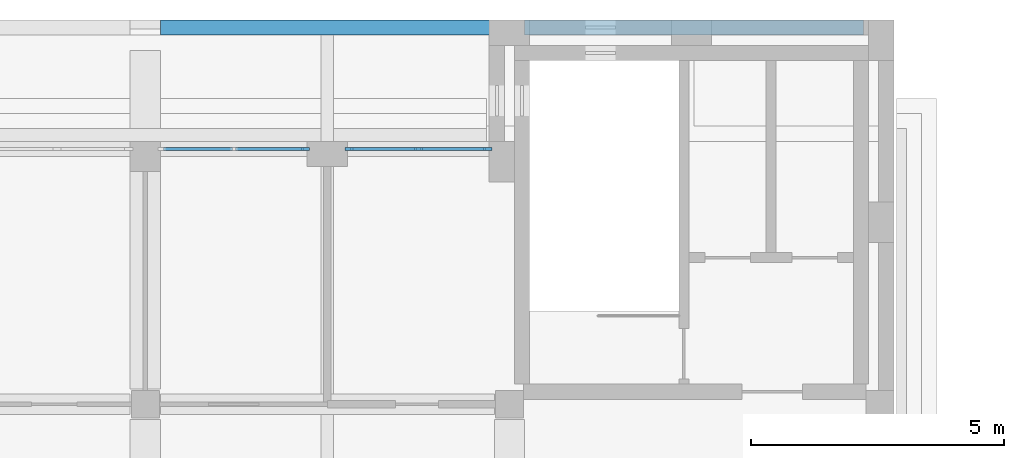
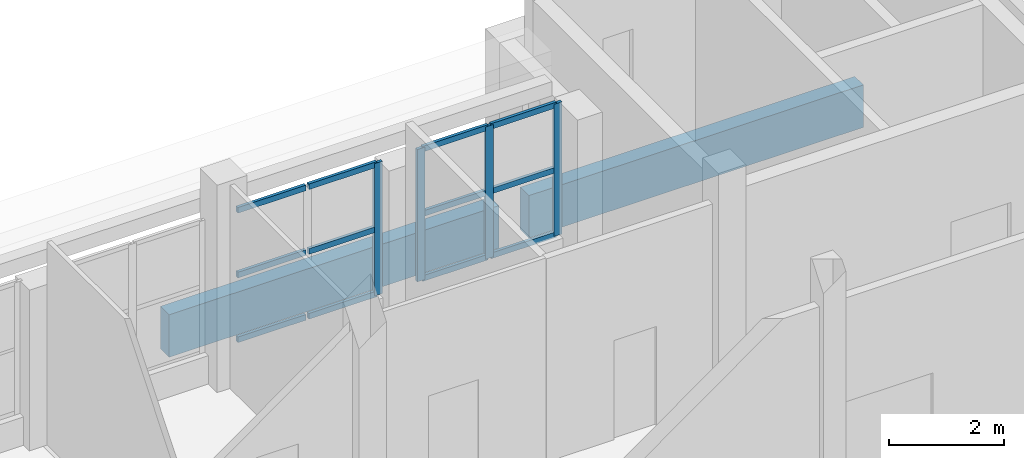
# One storey, part 9 of 30: 16 members, 2 beams, 2 elements without a shape of their own.
"""IFC4 building model written with IfcOpenShell, lengths in metres."""

from ifc_helpers import new_model, si_unit, direction, frame, origin, origin_2d, place, context, subcontext, project, spatial, rectangle, extrude, material, layer, layer_set, material_profile, profile_set, type_object, element, aggregate, save


model = new_model("IFC4")

# Units and contexts
model_context = context("Model", 3, precision=1e-05, world=origin(), true_north=direction((0.0, 1.0)))
body_context = subcontext(model_context, "Body", "Model", "MODEL_VIEW")
ifc_project = project(units=[si_unit("LENGTHUNIT", "METRE"), si_unit("AREAUNIT", "SQUARE_METRE"), si_unit("VOLUMEUNIT", "CUBIC_METRE"), si_unit("PLANEANGLEUNIT", "RADIAN"), si_unit("MASSUNIT", "GRAM", prefix="KILO")], contexts=[model_context])

# Site, building, storey
site_placement = place(None, origin())
site = spatial("IfcSite", under=ifc_project, at=site_placement, CompositionType="ELEMENT")
building_placement = place(site_placement, origin())
building = spatial("IfcBuilding", under=site, at=building_placement, Name="Ussher Court Research Institute", CompositionType="ELEMENT")
storey_placement = place(building_placement, frame((0.0, 0.0, 27.89990234375)))
storey = spatial("IfcBuildingStorey", under=building, at=storey_placement, Name="L06", CompositionType="ELEMENT", Elevation=27.89990234375)

# Curtain wall, member
ifc_material_1 = material(Name="Bronze anodised aluminium with insulated low-e glass", Category="aluminium")
ifc_layer = layer(ifc_material_1, 0.1201171875)
ifc_layer_set = layer_set([ifc_layer], Name="Bronze anodised aluminium with insulated low-e glass")
curtain_wall_type = type_object("IfcCurtainWallType", Name="Curtain wall attic gallery glazing", PredefinedType="NOTDEFINED", material=ifc_layer_set)
curtain_wall_1_placement = place(storey_placement, origin())
curtain_wall_1 = element("IfcCurtainWall", 1, at=curtain_wall_1_placement, inside=storey, type_object=curtain_wall_type, Name="Curtain wall CW11 L06", PredefinedType="NOTDEFINED")
ifc_material_2 = material(Name="Bronze anodised aluminium", Category="aluminium")
ifc_material_profile_1 = material_profile(ifc_material_2, rectangle(XDim=0.06005859375, YDim=0.159912109375, at=origin_2d()), Name="Mullion 60x160")
ifc_profile_set_1 = profile_set([ifc_material_profile_1], Name="Bronze anodised aluminium")
member_type_1 = type_object("IfcMemberType", Name="Mullion 60x160", PredefinedType="MULLION", material=ifc_profile_set_1)
member_1_placement = place(storey_placement, frame((70.969970703125, 88.25, 0.60009765625), z_axis=(0.0, 0.0, 1.0), x_axis=(0.0, 1.0, 0.0)))
member_1 = element("IfcMember", 2, at=member_1_placement, type_object=member_type_1, Name="CW11 mullion 3", PredefinedType="MULLION", context=body_context, shape_type="SweptSolid", body=[
    extrude(rectangle(XDim=0.06005859375, YDim=0.159912109375, at=origin_2d()), origin(), (0.0, 0.0, 1.0), 2.800048828125),
])

# Curtain wall, members
curtain_wall_2_placement = place(storey_placement, origin())
curtain_wall_2 = element("IfcCurtainWall", 3, at=curtain_wall_2_placement, inside=storey, type_object=curtain_wall_type, Name="Curtain wall CW11 L06", PredefinedType="NOTDEFINED")
member_2_placement = place(storey_placement, frame((71.830078125, 88.25, 0.60009765625), z_axis=(0.0, 0.0, 1.0), x_axis=(0.0, 1.0, 0.0)))
member_2 = element("IfcMember", 4, at=member_2_placement, type_object=member_type_1, Name="CW11 mullion 1", PredefinedType="MULLION", context=body_context, shape_type="SweptSolid", body=[
    extrude(rectangle(XDim=0.06005859375, YDim=0.159912109375, at=origin_2d()), origin(), (0.0, 0.0, 1.0), 2.800048828125),
])
member_3_placement = place(storey_placement, frame((73.199951171875, 88.25, 0.60009765625), z_axis=(0.0, 0.0, 1.0), x_axis=(0.0, 1.0, 0.0)))
member_3 = element("IfcMember", 5, at=member_3_placement, type_object=member_type_1, Name="CW11 mullion 2", PredefinedType="MULLION", context=body_context, shape_type="SweptSolid", body=[
    extrude(rectangle(XDim=0.06005859375, YDim=0.159912109375, at=origin_2d()), origin(), (0.0, 0.0, 1.0), 2.800048828125),
])
member_4_placement = place(storey_placement, frame((74.570068359375, 88.25, 0.60009765625), z_axis=(0.0, 0.0, 1.0), x_axis=(0.0, 1.0, 0.0)))
member_4 = element("IfcMember", 6, at=member_4_placement, type_object=member_type_1, Name="CW11 mullion 3", PredefinedType="MULLION", context=body_context, shape_type="SweptSolid", body=[
    extrude(rectangle(XDim=0.06005859375, YDim=0.159912109375, at=origin_2d()), origin(), (0.0, 0.0, 1.0), 2.800048828125),
])

# Beams
ifc_material_3 = material(Name="Concrete C35/45", Category="concrete")
ifc_material_profile_2 = material_profile(ifc_material_3, rectangle(XDim=0.300048828125, YDim=0.89990234375, at=origin_2d()), Name="RC 300x900")
ifc_profile_set_2 = profile_set([ifc_material_profile_2], Name="Concrete C35/45")
beam_type = type_object("IfcBeamType", Name="RC 300x900 beam", PredefinedType="BEAM", material=ifc_profile_set_2)
beam_1_placement = place(storey_placement, frame((68.10009765625, 90.64990234375, -0.64990234375), z_axis=(1.0, 0.0, 0.0), x_axis=(0.0, 1.0, 0.0)))
element("IfcBeam", 7, at=beam_1_placement, inside=storey, type_object=beam_type, Name="SB2 V5 L06-21", PredefinedType="BEAM", context=body_context, shape_type="SweptSolid", body=[
    extrude(rectangle(XDim=0.300048828125, YDim=0.89990234375, at=origin_2d()), origin(), (0.0, 0.0, 1.0), 6.599853515625),
])
beam_2_placement = place(storey_placement, frame((75.300048828125, 90.64990234375, -0.64990234375), z_axis=(1.0, 0.0, 0.0), x_axis=(0.0, 1.0, 0.0)))
element("IfcBeam", 8, at=beam_2_placement, inside=storey, type_object=beam_type, Name="SB2 V5 L06-22", PredefinedType="BEAM", context=body_context, shape_type="SweptSolid", body=[
    extrude(rectangle(XDim=0.300048828125, YDim=0.89990234375, at=origin_2d()), origin(), (0.0, 0.0, 1.0), 6.699951171875),
])

# Member
ifc_material_4 = material(Name="Bronze anodised aluminium", Category="aluminium")
ifc_material_profile_3 = material_profile(ifc_material_4, rectangle(XDim=0.06005859375, YDim=0.1201171875, at=origin_2d()), Name="Transom 60x120")
ifc_profile_set_3 = profile_set([ifc_material_profile_3], Name="Bronze anodised aluminium")
member_type_2 = type_object("IfcMemberType", Name="Transom 60x120", PredefinedType="USERDEFINED", material=ifc_profile_set_3)
member_5_placement = place(storey_placement, frame((68.159912109375, 88.25, 0.630126953125), z_axis=(1.0, 0.0, 0.0), x_axis=(0.0, 1.0, 0.0)))
member_5 = element("IfcMember", 9, at=member_5_placement, type_object=member_type_2, Name="CW11 transom 1.1", ObjectType="TRANSOM", PredefinedType="USERDEFINED", context=body_context, shape_type="SweptSolid", body=[
    extrude(rectangle(XDim=0.06005859375, YDim=0.1201171875, at=origin_2d()), origin(), (0.0, 0.0, 1.0), 1.360107421875),
])

member_6_placement = place(storey_placement, frame((68.159912109375, 88.25, 2.0), z_axis=(1.0, 0.0, 0.0), x_axis=(0.0, 1.0, 0.0)))
member_6 = element("IfcMember", 10, at=member_6_placement, type_object=member_type_2, Name="CW11 transom 1.2", ObjectType="TRANSOM", PredefinedType="USERDEFINED", context=body_context, shape_type="SweptSolid", body=[
    extrude(rectangle(XDim=0.06005859375, YDim=0.1201171875, at=origin_2d()), origin(), (0.0, 0.0, 1.0), 1.360107421875),
])

member_7_placement = place(storey_placement, frame((68.159912109375, 88.25, 3.3701171875), z_axis=(1.0, 0.0, 0.0), x_axis=(0.0, 1.0, 0.0)))
member_7 = element("IfcMember", 11, at=member_7_placement, type_object=member_type_2, Name="CW11 transom 1.3", ObjectType="TRANSOM", PredefinedType="USERDEFINED", context=body_context, shape_type="SweptSolid", body=[
    extrude(rectangle(XDim=0.06005859375, YDim=0.1201171875, at=origin_2d()), origin(), (0.0, 0.0, 1.0), 1.360107421875),
])

member_8_placement = place(storey_placement, frame((69.580078125, 88.25, 0.630126953125), z_axis=(1.0, 0.0, 0.0), x_axis=(0.0, 1.0, 0.0)))
member_8 = element("IfcMember", 12, at=member_8_placement, type_object=member_type_2, Name="CW11 transom 2.1", ObjectType="TRANSOM", PredefinedType="USERDEFINED", context=body_context, shape_type="SweptSolid", body=[
    extrude(rectangle(XDim=0.06005859375, YDim=0.1201171875, at=origin_2d()), origin(), (0.0, 0.0, 1.0), 1.35986328125),
])

member_9_placement = place(storey_placement, frame((69.580078125, 88.25, 2.0), z_axis=(1.0, 0.0, 0.0), x_axis=(0.0, 1.0, 0.0)))
member_9 = element("IfcMember", 13, at=member_9_placement, type_object=member_type_2, Name="CW11 transom 2.2", ObjectType="TRANSOM", PredefinedType="USERDEFINED", context=body_context, shape_type="SweptSolid", body=[
    extrude(rectangle(XDim=0.06005859375, YDim=0.1201171875, at=origin_2d()), origin(), (0.0, 0.0, 1.0), 1.35986328125),
])

member_10_placement = place(storey_placement, frame((69.580078125, 88.25, 3.3701171875), z_axis=(1.0, 0.0, 0.0), x_axis=(0.0, 1.0, 0.0)))
member_10 = element("IfcMember", 14, at=member_10_placement, type_object=member_type_2, Name="CW11 transom 2.3", ObjectType="TRANSOM", PredefinedType="USERDEFINED", context=body_context, shape_type="SweptSolid", body=[
    extrude(rectangle(XDim=0.06005859375, YDim=0.1201171875, at=origin_2d()), origin(), (0.0, 0.0, 1.0), 1.35986328125),
])

aggregate(curtain_wall_1, [member_1, member_5, member_6, member_7, member_8, member_9, member_10])

member_11_placement = place(storey_placement, frame((71.860107421875, 88.25, 0.630126953125), z_axis=(1.0, 0.0, 0.0), x_axis=(0.0, 1.0, 0.0)))
member_11 = element("IfcMember", 15, at=member_11_placement, type_object=member_type_2, Name="CW11 transom 1.1", ObjectType="TRANSOM", PredefinedType="USERDEFINED", context=body_context, shape_type="SweptSolid", body=[
    extrude(rectangle(XDim=0.06005859375, YDim=0.1201171875, at=origin_2d()), origin(), (0.0, 0.0, 1.0), 1.309814453125),
])

member_12_placement = place(storey_placement, frame((71.860107421875, 88.25, 2.0), z_axis=(1.0, 0.0, 0.0), x_axis=(0.0, 1.0, 0.0)))
member_12 = element("IfcMember", 16, at=member_12_placement, type_object=member_type_2, Name="CW11 transom 1.2", ObjectType="TRANSOM", PredefinedType="USERDEFINED", context=body_context, shape_type="SweptSolid", body=[
    extrude(rectangle(XDim=0.06005859375, YDim=0.1201171875, at=origin_2d()), origin(), (0.0, 0.0, 1.0), 1.309814453125),
])

member_13_placement = place(storey_placement, frame((71.860107421875, 88.25, 3.3701171875), z_axis=(1.0, 0.0, 0.0), x_axis=(0.0, 1.0, 0.0)))
member_13 = element("IfcMember", 17, at=member_13_placement, type_object=member_type_2, Name="CW11 transom 1.3", ObjectType="TRANSOM", PredefinedType="USERDEFINED", context=body_context, shape_type="SweptSolid", body=[
    extrude(rectangle(XDim=0.06005859375, YDim=0.1201171875, at=origin_2d()), origin(), (0.0, 0.0, 1.0), 1.309814453125),
])

member_14_placement = place(storey_placement, frame((73.22998046875, 88.25, 0.630126953125), z_axis=(1.0, 0.0, 0.0), x_axis=(0.0, 1.0, 0.0)))
member_14 = element("IfcMember", 18, at=member_14_placement, type_object=member_type_2, Name="CW11 transom 2.1", ObjectType="TRANSOM", PredefinedType="USERDEFINED", context=body_context, shape_type="SweptSolid", body=[
    extrude(rectangle(XDim=0.06005859375, YDim=0.1201171875, at=origin_2d()), origin(), (0.0, 0.0, 1.0), 1.31005859375),
])

member_15_placement = place(storey_placement, frame((73.22998046875, 88.25, 2.0), z_axis=(1.0, 0.0, 0.0), x_axis=(0.0, 1.0, 0.0)))
member_15 = element("IfcMember", 19, at=member_15_placement, type_object=member_type_2, Name="CW11 transom 2.2", ObjectType="TRANSOM", PredefinedType="USERDEFINED", context=body_context, shape_type="SweptSolid", body=[
    extrude(rectangle(XDim=0.06005859375, YDim=0.1201171875, at=origin_2d()), origin(), (0.0, 0.0, 1.0), 1.31005859375),
])

member_16_placement = place(storey_placement, frame((73.22998046875, 88.25, 3.3701171875), z_axis=(1.0, 0.0, 0.0), x_axis=(0.0, 1.0, 0.0)))
member_16 = element("IfcMember", 20, at=member_16_placement, type_object=member_type_2, Name="CW11 transom 2.3", ObjectType="TRANSOM", PredefinedType="USERDEFINED", context=body_context, shape_type="SweptSolid", body=[
    extrude(rectangle(XDim=0.06005859375, YDim=0.1201171875, at=origin_2d()), origin(), (0.0, 0.0, 1.0), 1.31005859375),
])

aggregate(curtain_wall_2, [member_2, member_3, member_4, member_11, member_12, member_13, member_14, member_15, member_16])

save(model, "model.ifc")
